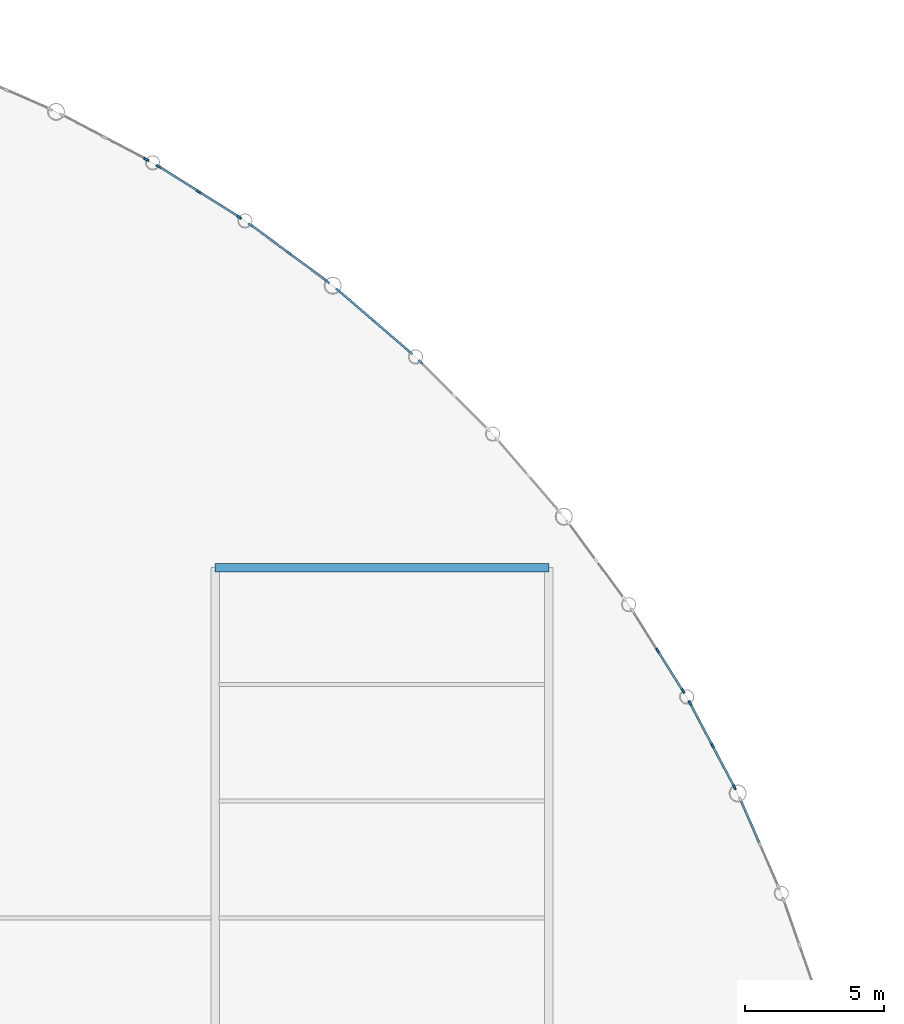
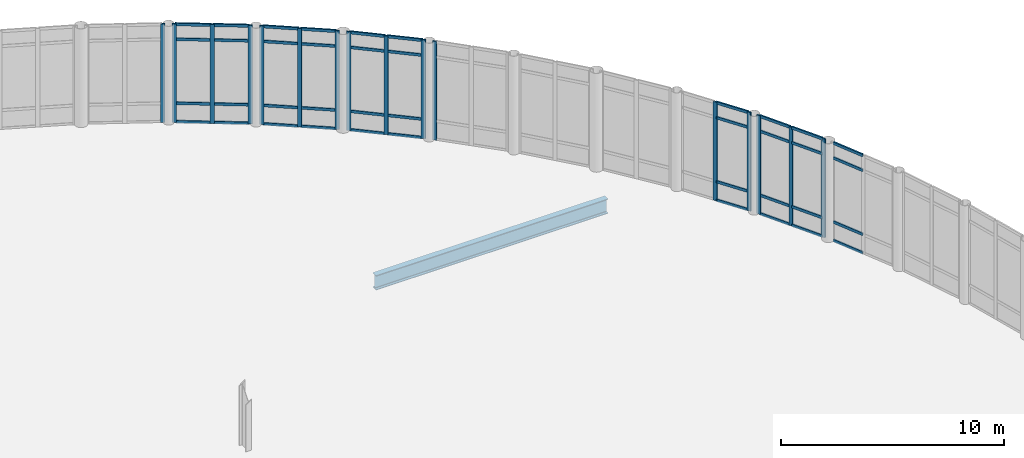
# One storey, part 73 of 111: 56 members, 1 beam, 8 elements without a shape of their own.
"""IFC4 building model written with IfcOpenShell, lengths in metres."""

from ifc_helpers import new_model, si_unit, direction, frame, origin, origin_2d, place, context, subcontext, project, spatial, rectangle, i_section, extrude, material, layer, layer_set, material_profile, profile_set, type_object, element, aggregate, save


model = new_model("IFC4")

# Units and contexts
model_context = context("Model", 3, precision=1e-05, world=origin(), true_north=direction((0.0, 1.0)))
body_context = subcontext(model_context, "Body", "Model", "MODEL_VIEW")
ifc_project = project(units=[si_unit("LENGTHUNIT", "METRE"), si_unit("AREAUNIT", "SQUARE_METRE"), si_unit("VOLUMEUNIT", "CUBIC_METRE"), si_unit("PLANEANGLEUNIT", "RADIAN"), si_unit("MASSUNIT", "GRAM", prefix="KILO"), si_unit("THERMODYNAMICTEMPERATUREUNIT", "KELVIN"), si_unit("POWERUNIT", "WATT")], contexts=[model_context])

# Site, building, storey
site_placement = place(None, origin())
site = spatial("IfcSite", under=ifc_project, at=site_placement, CompositionType="ELEMENT")
building_placement = place(site_placement, origin())
building = spatial("IfcBuilding", under=site, at=building_placement, Name="Tembeka Court Mobility Hub", CompositionType="ELEMENT")
storey_placement = place(building_placement, origin())
storey = spatial("IfcBuildingStorey", under=building, at=storey_placement, Name="L00", CompositionType="ELEMENT", Elevation=0.0)

# Beam
ifc_material_1 = material(Name="Steel S355", Category="steel")
ifc_material_profile_1 = material_profile(ifc_material_1, i_section(OverallWidth=0.300048828125, OverallDepth=0.800048828125, WebThickness=0.017578125, FlangeThickness=0.034912109375, FilletRadius=0.030029296875, at=origin_2d()), Name="HEB 800")
ifc_profile_set_1 = profile_set([ifc_material_profile_1], Name="Steel S355")
beam_type = type_object("IfcBeamType", Name="BM-G04", PredefinedType="USERDEFINED", material=ifc_profile_set_1)
beam_placement = place(storey_placement, frame((152.39990234375, 97.199951171875, -0.679931640625), z_axis=(1.0, 0.0, 0.0), x_axis=(0.0, 1.0, 0.0)))
element("IfcBeam", 1, at=beam_placement, inside=storey, type_object=beam_type, Name="Beam G04 (BM-L00-X0149)", ObjectType="GIRDER", PredefinedType="USERDEFINED", context=body_context, shape_type="SweptSolid", body=[
    extrude(i_section(OverallWidth=0.300048828125, OverallDepth=0.800048828125, WebThickness=0.017578125, FlangeThickness=0.034912109375, FilletRadius=0.030029296875, at=origin_2d()), origin(), (0.0, 0.0, 1.0), 12.0),
])

# Curtain wall, members
ifc_material_2 = material(Name="Anodised aluminium 6063-T6", Category="aluminium")
ifc_layer = layer(ifc_material_2, 0.199951171875)
ifc_layer_set = layer_set([ifc_layer], Name="Anodised aluminium 6063-T6")
curtain_wall_type = type_object("IfcCurtainWallType", Name="CW-SYS24", PredefinedType="USERDEFINED", material=ifc_layer_set)
curtain_wall_1_placement = place(storey_placement, origin())
curtain_wall_1 = element("IfcCurtainWall", 2, at=curtain_wall_1_placement, inside=storey, type_object=curtain_wall_type, Name="Unitised curtain wall CW24 (CW-L00-055)", ObjectType="UNITISED GLAZING", PredefinedType="USERDEFINED")
ifc_material_profile_2 = material_profile(ifc_material_2, rectangle(XDim=0.074951171875, YDim=0.199951171875, at=origin_2d()), Name="ALU-MUL 75x200")
ifc_profile_set_2 = profile_set([ifc_material_profile_2], Name="Anodised aluminium 6063-T6")
member_type_1 = type_object("IfcMemberType", Name="CW-MUL02", PredefinedType="MULLION", material=ifc_profile_set_2)
member_1_placement = place(storey_placement, frame((171.08056640625, 89.306640625, 0.0), z_axis=(0.0, 0.0, 1.0), x_axis=(-0.884107976202, -0.467282662225, 0.0)))
member_1 = element("IfcMember", 3, at=member_1_placement, type_object=member_type_1, Name="CW24 mullion 1", PredefinedType="MULLION", context=body_context, shape_type="SweptSolid", body=[
    extrude(rectangle(XDim=0.074951171875, YDim=0.199951171875, at=origin_2d()), origin(), (0.0, 0.0, 1.0), 5.39990234375),
])
member_2_placement = place(storey_placement, frame((170.28369140625, 90.814453125, 0.0), z_axis=(0.0, 0.0, 1.0), x_axis=(-0.884107976202, -0.467282662225, 0.0)))
member_2 = element("IfcMember", 4, at=member_2_placement, type_object=member_type_1, Name="CW24 mullion 2", PredefinedType="MULLION", context=body_context, shape_type="SweptSolid", body=[
    extrude(rectangle(XDim=0.074951171875, YDim=0.199951171875, at=origin_2d()), origin(), (0.0, 0.0, 1.0), 5.39990234375),
])
member_3_placement = place(storey_placement, frame((169.486572265625, 92.322265625, 0.0), z_axis=(0.0, 0.0, 1.0), x_axis=(-0.884107976202, -0.467282662225, 0.0)))
member_3 = element("IfcMember", 5, at=member_3_placement, type_object=member_type_1, Name="CW24 mullion 3", PredefinedType="MULLION", context=body_context, shape_type="SweptSolid", body=[
    extrude(rectangle(XDim=0.074951171875, YDim=0.199951171875, at=origin_2d()), origin(), (0.0, 0.0, 1.0), 5.39990234375),
])

curtain_wall_2_placement = place(storey_placement, origin())
curtain_wall_2 = element("IfcCurtainWall", 6, at=curtain_wall_2_placement, inside=storey, type_object=curtain_wall_type, Name="Unitised curtain wall CW24 (CW-L00-057)", ObjectType="UNITISED GLAZING", PredefinedType="USERDEFINED")
member_4_placement = place(storey_placement, frame((169.229248046875, 92.76806640625, 0.0), z_axis=(0.0, 0.0, 1.0), x_axis=(-0.846708179607, -0.532057570744, 0.0)))
member_4 = element("IfcMember", 7, at=member_4_placement, type_object=member_type_1, Name="CW24 mullion 1", PredefinedType="MULLION", context=body_context, shape_type="SweptSolid", body=[
    extrude(rectangle(XDim=0.074951171875, YDim=0.199951171875, at=origin_2d()), origin(), (0.0, 0.0, 1.0), 5.39990234375),
])
member_5_placement = place(storey_placement, frame((168.322021484375, 94.212158203125, 0.0), z_axis=(0.0, 0.0, 1.0), x_axis=(-0.846708179607, -0.532057570744, 0.0)))
member_5 = element("IfcMember", 8, at=member_5_placement, type_object=member_type_1, Name="CW24 mullion 2", PredefinedType="MULLION", context=body_context, shape_type="SweptSolid", body=[
    extrude(rectangle(XDim=0.074951171875, YDim=0.199951171875, at=origin_2d()), origin(), (0.0, 0.0, 1.0), 5.39990234375),
])

# Curtain wall, member
curtain_wall_3_placement = place(storey_placement, origin())
curtain_wall_3 = element("IfcCurtainWall", 9, at=curtain_wall_3_placement, inside=storey, type_object=curtain_wall_type, Name="Unitised curtain wall CW24 (CW-L00-063)", ObjectType="UNITISED GLAZING", PredefinedType="USERDEFINED")
member_6_placement = place(storey_placement, frame((159.791259765625, 104.60302734375, 0.0), z_axis=(0.0, 0.0, 1.0), x_axis=(-0.707106781187, -0.707106781187, 0.0)))
member_6 = element("IfcMember", 10, at=member_6_placement, type_object=member_type_1, Name="CW24 mullion 3", PredefinedType="MULLION", context=body_context, shape_type="SweptSolid", body=[
    extrude(rectangle(XDim=0.074951171875, YDim=0.199951171875, at=origin_2d()), origin(), (0.0, 0.0, 1.0), 5.39990234375),
])
aggregate(curtain_wall_3, [member_6])

# Curtain wall, members
curtain_wall_4_placement = place(storey_placement, origin())
curtain_wall_4 = element("IfcCurtainWall", 11, at=curtain_wall_4_placement, inside=storey, type_object=curtain_wall_type, Name="Unitised curtain wall CW24 (CW-L00-065)", ObjectType="UNITISED GLAZING", PredefinedType="USERDEFINED")
member_7_placement = place(storey_placement, frame((159.413818359375, 104.953125, 0.0), z_axis=(0.0, 0.0, 1.0), x_axis=(-0.652306690707, -0.757955131428, 0.0)))
member_7 = element("IfcMember", 12, at=member_7_placement, type_object=member_type_1, Name="CW24 mullion 1", PredefinedType="MULLION", context=body_context, shape_type="SweptSolid", body=[
    extrude(rectangle(XDim=0.074951171875, YDim=0.199951171875, at=origin_2d()), origin(), (0.0, 0.0, 1.0), 5.39990234375),
])
member_8_placement = place(storey_placement, frame((158.12109375, 106.065673828125, 0.0), z_axis=(0.0, 0.0, 1.0), x_axis=(-0.652306690707, -0.757955131428, 0.0)))
member_8 = element("IfcMember", 13, at=member_8_placement, type_object=member_type_1, Name="CW24 mullion 2", PredefinedType="MULLION", context=body_context, shape_type="SweptSolid", body=[
    extrude(rectangle(XDim=0.074951171875, YDim=0.199951171875, at=origin_2d()), origin(), (0.0, 0.0, 1.0), 5.39990234375),
])
member_9_placement = place(storey_placement, frame((156.828369140625, 107.17822265625, 0.0), z_axis=(0.0, 0.0, 1.0), x_axis=(-0.652306690707, -0.757955131428, 0.0)))
member_9 = element("IfcMember", 14, at=member_9_placement, type_object=member_type_1, Name="CW24 mullion 3", PredefinedType="MULLION", context=body_context, shape_type="SweptSolid", body=[
    extrude(rectangle(XDim=0.074951171875, YDim=0.199951171875, at=origin_2d()), origin(), (0.0, 0.0, 1.0), 5.39990234375),
])

curtain_wall_5_placement = place(storey_placement, origin())
curtain_wall_5 = element("IfcCurtainWall", 15, at=curtain_wall_5_placement, inside=storey, type_object=curtain_wall_type, Name="Unitised curtain wall CW24 (CW-L00-067)", ObjectType="UNITISED GLAZING", PredefinedType="USERDEFINED")
member_10_placement = place(storey_placement, frame((156.426025390625, 107.4990234375, 0.0), z_axis=(0.0, 0.0, 1.0), x_axis=(-0.593818252688, -0.804599206298, 0.0)))
member_10 = element("IfcMember", 16, at=member_10_placement, type_object=member_type_1, Name="CW24 mullion 1", PredefinedType="MULLION", context=body_context, shape_type="SweptSolid", body=[
    extrude(rectangle(XDim=0.074951171875, YDim=0.199951171875, at=origin_2d()), origin(), (0.0, 0.0, 1.0), 5.39990234375),
])
member_11_placement = place(storey_placement, frame((155.0537109375, 108.511962890625, 0.0), z_axis=(0.0, 0.0, 1.0), x_axis=(-0.593818252688, -0.804599206298, 0.0)))
member_11 = element("IfcMember", 17, at=member_11_placement, type_object=member_type_1, Name="CW24 mullion 2", PredefinedType="MULLION", context=body_context, shape_type="SweptSolid", body=[
    extrude(rectangle(XDim=0.074951171875, YDim=0.199951171875, at=origin_2d()), origin(), (0.0, 0.0, 1.0), 5.39990234375),
])
member_12_placement = place(storey_placement, frame((153.681396484375, 109.524658203125, 0.0), z_axis=(0.0, 0.0, 1.0), x_axis=(-0.593818252688, -0.804599206298, 0.0)))
member_12 = element("IfcMember", 18, at=member_12_placement, type_object=member_type_1, Name="CW24 mullion 3", PredefinedType="MULLION", context=body_context, shape_type="SweptSolid", body=[
    extrude(rectangle(XDim=0.074951171875, YDim=0.199951171875, at=origin_2d()), origin(), (0.0, 0.0, 1.0), 5.39990234375),
])

curtain_wall_6_placement = place(storey_placement, origin())
curtain_wall_6 = element("IfcCurtainWall", 19, at=curtain_wall_6_placement, inside=storey, type_object=curtain_wall_type, Name="Unitised curtain wall CW24 (CW-L00-069)", ObjectType="UNITISED GLAZING", PredefinedType="USERDEFINED")
member_13_placement = place(storey_placement, frame((153.25634765625, 109.814453125, 0.0), z_axis=(0.0, 0.0, 1.0), x_axis=(-0.532057570744, -0.846708179607, 0.0)))
member_13 = element("IfcMember", 20, at=member_13_placement, type_object=member_type_1, Name="CW24 mullion 1", PredefinedType="MULLION", context=body_context, shape_type="SweptSolid", body=[
    extrude(rectangle(XDim=0.074951171875, YDim=0.199951171875, at=origin_2d()), origin(), (0.0, 0.0, 1.0), 5.39990234375),
])
member_14_placement = place(storey_placement, frame((151.812255859375, 110.721923828125, 0.0), z_axis=(0.0, 0.0, 1.0), x_axis=(-0.532057570744, -0.846708179607, 0.0)))
member_14 = element("IfcMember", 21, at=member_14_placement, type_object=member_type_1, Name="CW24 mullion 2", PredefinedType="MULLION", context=body_context, shape_type="SweptSolid", body=[
    extrude(rectangle(XDim=0.074951171875, YDim=0.199951171875, at=origin_2d()), origin(), (0.0, 0.0, 1.0), 5.39990234375),
])
member_15_placement = place(storey_placement, frame((150.3681640625, 111.62939453125, 0.0), z_axis=(0.0, 0.0, 1.0), x_axis=(-0.532057570744, -0.846708179607, 0.0)))
member_15 = element("IfcMember", 22, at=member_15_placement, type_object=member_type_1, Name="CW24 mullion 3", PredefinedType="MULLION", context=body_context, shape_type="SweptSolid", body=[
    extrude(rectangle(XDim=0.074951171875, YDim=0.199951171875, at=origin_2d()), origin(), (0.0, 0.0, 1.0), 5.39990234375),
])

# Curtain wall, member
curtain_wall_7_placement = place(storey_placement, origin())
curtain_wall_7 = element("IfcCurtainWall", 23, at=curtain_wall_7_placement, inside=storey, type_object=curtain_wall_type, Name="Unitised curtain wall CW24 (CW-L00-071)", ObjectType="UNITISED GLAZING", PredefinedType="USERDEFINED")
member_16_placement = place(storey_placement, frame((149.92236328125, 111.88671875, 0.0), z_axis=(0.0, 0.0, 1.0), x_axis=(-0.467282662225, -0.884107976202, 0.0)))
member_16 = element("IfcMember", 24, at=member_16_placement, type_object=member_type_1, Name="CW24 mullion 1", PredefinedType="MULLION", context=body_context, shape_type="SweptSolid", body=[
    extrude(rectangle(XDim=0.074951171875, YDim=0.199951171875, at=origin_2d()), origin(), (0.0, 0.0, 1.0), 5.39990234375),
])
aggregate(curtain_wall_7, [member_16])

# Curtain wall, members
curtain_wall_8_placement = place(storey_placement, origin())
curtain_wall_8 = element("IfcCurtainWall", 25, at=curtain_wall_8_placement, inside=storey, type_object=curtain_wall_type, Name="Unitised curtain wall CW24 (CW-L00-053)", ObjectType="UNITISED GLAZING", PredefinedType="USERDEFINED")
ifc_material_profile_3 = material_profile(ifc_material_2, rectangle(XDim=0.074951171875, YDim=0.14990234375, at=origin_2d()), Name="ALU-TRN 75x150")
ifc_profile_set_3 = profile_set([ifc_material_profile_3], Name="Anodised aluminium 6063-T6")
member_type_2 = type_object("IfcMemberType", Name="CW-TRN02", PredefinedType="USERDEFINED", material=ifc_profile_set_3)
member_17_placement = place(storey_placement, frame((171.970947265625, 87.31396484375, 0.03759765625), z_axis=(-0.399891861372, 0.916562326963, 0.0), x_axis=(-0.916562326963, -0.399891861372, 0.0)))
member_17 = element("IfcMember", 26, at=member_17_placement, type_object=member_type_2, Name="CW24 transom 2.1", ObjectType="TRANSOM", PredefinedType="USERDEFINED", context=body_context, shape_type="SweptSolid", body=[
    extrude(rectangle(XDim=0.074951171875, YDim=0.14990234375, at=origin_2d()), origin(), (0.0, 0.0, 1.0), 1.630615234375),
])
member_18_placement = place(storey_placement, frame((171.970947265625, 87.31396484375, 1.050048828125), z_axis=(-0.399891861372, 0.916562326963, 0.0), x_axis=(-0.916562326963, -0.399891861372, 0.0)))
member_18 = element("IfcMember", 27, at=member_18_placement, type_object=member_type_2, Name="CW24 transom 2.2", ObjectType="TRANSOM", PredefinedType="USERDEFINED", context=body_context, shape_type="SweptSolid", body=[
    extrude(rectangle(XDim=0.074951171875, YDim=0.14990234375, at=origin_2d()), origin(), (0.0, 0.0, 1.0), 1.630615234375),
])
member_19_placement = place(storey_placement, frame((171.970947265625, 87.31396484375, 4.550048828125), z_axis=(-0.399891861372, 0.916562326963, 0.0), x_axis=(-0.916562326963, -0.399891861372, 0.0)))
member_19 = element("IfcMember", 28, at=member_19_placement, type_object=member_type_2, Name="CW24 transom 2.3", ObjectType="TRANSOM", PredefinedType="USERDEFINED", context=body_context, shape_type="SweptSolid", body=[
    extrude(rectangle(XDim=0.074951171875, YDim=0.14990234375, at=origin_2d()), origin(), (0.0, 0.0, 1.0), 1.630615234375),
])
member_20_placement = place(storey_placement, frame((171.970947265625, 87.31396484375, 5.362548828125), z_axis=(-0.399891861372, 0.916562326963, 0.0), x_axis=(-0.916562326963, -0.399891861372, 0.0)))
member_20 = element("IfcMember", 29, at=member_20_placement, type_object=member_type_2, Name="CW24 transom 2.4", ObjectType="TRANSOM", PredefinedType="USERDEFINED", context=body_context, shape_type="SweptSolid", body=[
    extrude(rectangle(XDim=0.074951171875, YDim=0.14990234375, at=origin_2d()), origin(), (0.0, 0.0, 1.0), 1.630615234375),
])
aggregate(curtain_wall_8, [member_17, member_18, member_19, member_20])

# Member
member_21_placement = place(storey_placement, frame((171.06298828125, 89.339599609375, 0.03759765625), z_axis=(-0.467282248341, 0.884108194954, 0.0), x_axis=(-0.884108194954, -0.467282248341, 0.0)))
member_21 = element("IfcMember", 30, at=member_21_placement, type_object=member_type_2, Name="CW24 transom 1.1", ObjectType="TRANSOM", PredefinedType="USERDEFINED", context=body_context, shape_type="SweptSolid", body=[
    extrude(rectangle(XDim=0.074951171875, YDim=0.14990234375, at=origin_2d()), origin(), (0.0, 0.0, 1.0), 1.630615234375),
])

member_22_placement = place(storey_placement, frame((171.06298828125, 89.339599609375, 1.050048828125), z_axis=(-0.467282248341, 0.884108194954, 0.0), x_axis=(-0.884108194954, -0.467282248341, 0.0)))
member_22 = element("IfcMember", 31, at=member_22_placement, type_object=member_type_2, Name="CW24 transom 1.2", ObjectType="TRANSOM", PredefinedType="USERDEFINED", context=body_context, shape_type="SweptSolid", body=[
    extrude(rectangle(XDim=0.074951171875, YDim=0.14990234375, at=origin_2d()), origin(), (0.0, 0.0, 1.0), 1.630615234375),
])

member_23_placement = place(storey_placement, frame((171.06298828125, 89.339599609375, 4.550048828125), z_axis=(-0.467282248341, 0.884108194954, 0.0), x_axis=(-0.884108194954, -0.467282248341, 0.0)))
member_23 = element("IfcMember", 32, at=member_23_placement, type_object=member_type_2, Name="CW24 transom 1.3", ObjectType="TRANSOM", PredefinedType="USERDEFINED", context=body_context, shape_type="SweptSolid", body=[
    extrude(rectangle(XDim=0.074951171875, YDim=0.14990234375, at=origin_2d()), origin(), (0.0, 0.0, 1.0), 1.630615234375),
])

member_24_placement = place(storey_placement, frame((171.06298828125, 89.339599609375, 5.362548828125), z_axis=(-0.467282248341, 0.884108194954, 0.0), x_axis=(-0.884108194954, -0.467282248341, 0.0)))
member_24 = element("IfcMember", 33, at=member_24_placement, type_object=member_type_2, Name="CW24 transom 1.4", ObjectType="TRANSOM", PredefinedType="USERDEFINED", context=body_context, shape_type="SweptSolid", body=[
    extrude(rectangle(XDim=0.074951171875, YDim=0.14990234375, at=origin_2d()), origin(), (0.0, 0.0, 1.0), 1.630615234375),
])

member_25_placement = place(storey_placement, frame((170.26611328125, 90.84765625, 0.03759765625), z_axis=(-0.467282248341, 0.884108194954, 0.0), x_axis=(-0.884108194954, -0.467282248341, 0.0)))
member_25 = element("IfcMember", 34, at=member_25_placement, type_object=member_type_2, Name="CW24 transom 2.1", ObjectType="TRANSOM", PredefinedType="USERDEFINED", context=body_context, shape_type="SweptSolid", body=[
    extrude(rectangle(XDim=0.074951171875, YDim=0.14990234375, at=origin_2d()), origin(), (0.0, 0.0, 1.0), 1.630615234375),
])

member_26_placement = place(storey_placement, frame((170.26611328125, 90.84765625, 1.050048828125), z_axis=(-0.467282248341, 0.884108194954, 0.0), x_axis=(-0.884108194954, -0.467282248341, 0.0)))
member_26 = element("IfcMember", 35, at=member_26_placement, type_object=member_type_2, Name="CW24 transom 2.2", ObjectType="TRANSOM", PredefinedType="USERDEFINED", context=body_context, shape_type="SweptSolid", body=[
    extrude(rectangle(XDim=0.074951171875, YDim=0.14990234375, at=origin_2d()), origin(), (0.0, 0.0, 1.0), 1.630615234375),
])

member_27_placement = place(storey_placement, frame((170.26611328125, 90.84765625, 4.550048828125), z_axis=(-0.467282248341, 0.884108194954, 0.0), x_axis=(-0.884108194954, -0.467282248341, 0.0)))
member_27 = element("IfcMember", 36, at=member_27_placement, type_object=member_type_2, Name="CW24 transom 2.3", ObjectType="TRANSOM", PredefinedType="USERDEFINED", context=body_context, shape_type="SweptSolid", body=[
    extrude(rectangle(XDim=0.074951171875, YDim=0.14990234375, at=origin_2d()), origin(), (0.0, 0.0, 1.0), 1.630615234375),
])

member_28_placement = place(storey_placement, frame((170.26611328125, 90.84765625, 5.362548828125), z_axis=(-0.467282248341, 0.884108194954, 0.0), x_axis=(-0.884108194954, -0.467282248341, 0.0)))
member_28 = element("IfcMember", 37, at=member_28_placement, type_object=member_type_2, Name="CW24 transom 2.4", ObjectType="TRANSOM", PredefinedType="USERDEFINED", context=body_context, shape_type="SweptSolid", body=[
    extrude(rectangle(XDim=0.074951171875, YDim=0.14990234375, at=origin_2d()), origin(), (0.0, 0.0, 1.0), 1.630615234375),
])

aggregate(curtain_wall_1, [member_1, member_2, member_3, member_21, member_22, member_23, member_24, member_25, member_26, member_27, member_28])

member_29_placement = place(storey_placement, frame((169.20947265625, 92.7998046875, 0.03759765625), z_axis=(-0.532110218456, 0.846675094363, 0.0), x_axis=(-0.846675094363, -0.532110218456, 0.0)))
member_29 = element("IfcMember", 38, at=member_29_placement, type_object=member_type_2, Name="CW24 transom 1.1", ObjectType="TRANSOM", PredefinedType="USERDEFINED", context=body_context, shape_type="SweptSolid", body=[
    extrude(rectangle(XDim=0.074951171875, YDim=0.14990234375, at=origin_2d()), origin(), (0.0, 0.0, 1.0), 1.630615234375),
])

member_30_placement = place(storey_placement, frame((169.20947265625, 92.7998046875, 1.050048828125), z_axis=(-0.532110218456, 0.846675094363, 0.0), x_axis=(-0.846675094363, -0.532110218456, 0.0)))
member_30 = element("IfcMember", 39, at=member_30_placement, type_object=member_type_2, Name="CW24 transom 1.2", ObjectType="TRANSOM", PredefinedType="USERDEFINED", context=body_context, shape_type="SweptSolid", body=[
    extrude(rectangle(XDim=0.074951171875, YDim=0.14990234375, at=origin_2d()), origin(), (0.0, 0.0, 1.0), 1.630615234375),
])

member_31_placement = place(storey_placement, frame((169.20947265625, 92.7998046875, 4.550048828125), z_axis=(-0.532110218456, 0.846675094363, 0.0), x_axis=(-0.846675094363, -0.532110218456, 0.0)))
member_31 = element("IfcMember", 40, at=member_31_placement, type_object=member_type_2, Name="CW24 transom 1.3", ObjectType="TRANSOM", PredefinedType="USERDEFINED", context=body_context, shape_type="SweptSolid", body=[
    extrude(rectangle(XDim=0.074951171875, YDim=0.14990234375, at=origin_2d()), origin(), (0.0, 0.0, 1.0), 1.630615234375),
])

member_32_placement = place(storey_placement, frame((169.20947265625, 92.7998046875, 5.362548828125), z_axis=(-0.532110218456, 0.846675094363, 0.0), x_axis=(-0.846675094363, -0.532110218456, 0.0)))
member_32 = element("IfcMember", 41, at=member_32_placement, type_object=member_type_2, Name="CW24 transom 1.4", ObjectType="TRANSOM", PredefinedType="USERDEFINED", context=body_context, shape_type="SweptSolid", body=[
    extrude(rectangle(XDim=0.074951171875, YDim=0.14990234375, at=origin_2d()), origin(), (0.0, 0.0, 1.0), 1.630615234375),
])

aggregate(curtain_wall_2, [member_4, member_5, member_29, member_30, member_31, member_32])

member_33_placement = place(storey_placement, frame((159.385498046875, 104.9775390625, 0.03759765625), z_axis=(-0.757912738412, 0.652355946515, 0.0), x_axis=(-0.652355946515, -0.757912738412, 0.0)))
member_33 = element("IfcMember", 42, at=member_33_placement, type_object=member_type_2, Name="CW24 transom 1.1", ObjectType="TRANSOM", PredefinedType="USERDEFINED", context=body_context, shape_type="SweptSolid", body=[
    extrude(rectangle(XDim=0.074951171875, YDim=0.14990234375, at=origin_2d()), origin(), (0.0, 0.0, 1.0), 1.630615234375),
])

member_34_placement = place(storey_placement, frame((159.385498046875, 104.9775390625, 1.050048828125), z_axis=(-0.757912738412, 0.652355946515, 0.0), x_axis=(-0.652355946515, -0.757912738412, 0.0)))
member_34 = element("IfcMember", 43, at=member_34_placement, type_object=member_type_2, Name="CW24 transom 1.2", ObjectType="TRANSOM", PredefinedType="USERDEFINED", context=body_context, shape_type="SweptSolid", body=[
    extrude(rectangle(XDim=0.074951171875, YDim=0.14990234375, at=origin_2d()), origin(), (0.0, 0.0, 1.0), 1.630615234375),
])

member_35_placement = place(storey_placement, frame((159.385498046875, 104.9775390625, 4.550048828125), z_axis=(-0.757912738412, 0.652355946515, 0.0), x_axis=(-0.652355946515, -0.757912738412, 0.0)))
member_35 = element("IfcMember", 44, at=member_35_placement, type_object=member_type_2, Name="CW24 transom 1.3", ObjectType="TRANSOM", PredefinedType="USERDEFINED", context=body_context, shape_type="SweptSolid", body=[
    extrude(rectangle(XDim=0.074951171875, YDim=0.14990234375, at=origin_2d()), origin(), (0.0, 0.0, 1.0), 1.630615234375),
])

member_36_placement = place(storey_placement, frame((159.385498046875, 104.9775390625, 5.362548828125), z_axis=(-0.757912738412, 0.652355946515, 0.0), x_axis=(-0.652355946515, -0.757912738412, 0.0)))
member_36 = element("IfcMember", 45, at=member_36_placement, type_object=member_type_2, Name="CW24 transom 1.4", ObjectType="TRANSOM", PredefinedType="USERDEFINED", context=body_context, shape_type="SweptSolid", body=[
    extrude(rectangle(XDim=0.074951171875, YDim=0.14990234375, at=origin_2d()), origin(), (0.0, 0.0, 1.0), 1.630615234375),
])

member_37_placement = place(storey_placement, frame((158.0927734375, 106.090087890625, 0.03759765625), z_axis=(-0.757912738412, 0.652355946515, 0.0), x_axis=(-0.652355946515, -0.757912738412, 0.0)))
member_37 = element("IfcMember", 46, at=member_37_placement, type_object=member_type_2, Name="CW24 transom 2.1", ObjectType="TRANSOM", PredefinedType="USERDEFINED", context=body_context, shape_type="SweptSolid", body=[
    extrude(rectangle(XDim=0.074951171875, YDim=0.14990234375, at=origin_2d()), origin(), (0.0, 0.0, 1.0), 1.630615234375),
])

member_38_placement = place(storey_placement, frame((158.0927734375, 106.090087890625, 1.050048828125), z_axis=(-0.757912738412, 0.652355946515, 0.0), x_axis=(-0.652355946515, -0.757912738412, 0.0)))
member_38 = element("IfcMember", 47, at=member_38_placement, type_object=member_type_2, Name="CW24 transom 2.2", ObjectType="TRANSOM", PredefinedType="USERDEFINED", context=body_context, shape_type="SweptSolid", body=[
    extrude(rectangle(XDim=0.074951171875, YDim=0.14990234375, at=origin_2d()), origin(), (0.0, 0.0, 1.0), 1.630615234375),
])

member_39_placement = place(storey_placement, frame((158.0927734375, 106.090087890625, 4.550048828125), z_axis=(-0.757912738412, 0.652355946515, 0.0), x_axis=(-0.652355946515, -0.757912738412, 0.0)))
member_39 = element("IfcMember", 48, at=member_39_placement, type_object=member_type_2, Name="CW24 transom 2.3", ObjectType="TRANSOM", PredefinedType="USERDEFINED", context=body_context, shape_type="SweptSolid", body=[
    extrude(rectangle(XDim=0.074951171875, YDim=0.14990234375, at=origin_2d()), origin(), (0.0, 0.0, 1.0), 1.630615234375),
])

member_40_placement = place(storey_placement, frame((158.0927734375, 106.090087890625, 5.362548828125), z_axis=(-0.757912738412, 0.652355946515, 0.0), x_axis=(-0.652355946515, -0.757912738412, 0.0)))
member_40 = element("IfcMember", 49, at=member_40_placement, type_object=member_type_2, Name="CW24 transom 2.4", ObjectType="TRANSOM", PredefinedType="USERDEFINED", context=body_context, shape_type="SweptSolid", body=[
    extrude(rectangle(XDim=0.074951171875, YDim=0.14990234375, at=origin_2d()), origin(), (0.0, 0.0, 1.0), 1.630615234375),
])

aggregate(curtain_wall_4, [member_7, member_8, member_9, member_33, member_34, member_35, member_36, member_37, member_38, member_39, member_40])

member_41_placement = place(storey_placement, frame((156.395751953125, 107.521240234375, 0.03759765625), z_axis=(-0.804558748031, 0.59387306806, 0.0), x_axis=(-0.59387306806, -0.804558748031, 0.0)))
member_41 = element("IfcMember", 50, at=member_41_placement, type_object=member_type_2, Name="CW24 transom 1.1", ObjectType="TRANSOM", PredefinedType="USERDEFINED", context=body_context, shape_type="SweptSolid", body=[
    extrude(rectangle(XDim=0.074951171875, YDim=0.14990234375, at=origin_2d()), origin(), (0.0, 0.0, 1.0), 1.63037109375),
])

member_42_placement = place(storey_placement, frame((156.395751953125, 107.521240234375, 1.050048828125), z_axis=(-0.804558748031, 0.59387306806, 0.0), x_axis=(-0.59387306806, -0.804558748031, 0.0)))
member_42 = element("IfcMember", 51, at=member_42_placement, type_object=member_type_2, Name="CW24 transom 1.2", ObjectType="TRANSOM", PredefinedType="USERDEFINED", context=body_context, shape_type="SweptSolid", body=[
    extrude(rectangle(XDim=0.074951171875, YDim=0.14990234375, at=origin_2d()), origin(), (0.0, 0.0, 1.0), 1.63037109375),
])

member_43_placement = place(storey_placement, frame((156.395751953125, 107.521240234375, 4.550048828125), z_axis=(-0.804558748031, 0.59387306806, 0.0), x_axis=(-0.59387306806, -0.804558748031, 0.0)))
member_43 = element("IfcMember", 52, at=member_43_placement, type_object=member_type_2, Name="CW24 transom 1.3", ObjectType="TRANSOM", PredefinedType="USERDEFINED", context=body_context, shape_type="SweptSolid", body=[
    extrude(rectangle(XDim=0.074951171875, YDim=0.14990234375, at=origin_2d()), origin(), (0.0, 0.0, 1.0), 1.63037109375),
])

member_44_placement = place(storey_placement, frame((156.395751953125, 107.521240234375, 5.362548828125), z_axis=(-0.804558748031, 0.59387306806, 0.0), x_axis=(-0.59387306806, -0.804558748031, 0.0)))
member_44 = element("IfcMember", 53, at=member_44_placement, type_object=member_type_2, Name="CW24 transom 1.4", ObjectType="TRANSOM", PredefinedType="USERDEFINED", context=body_context, shape_type="SweptSolid", body=[
    extrude(rectangle(XDim=0.074951171875, YDim=0.14990234375, at=origin_2d()), origin(), (0.0, 0.0, 1.0), 1.63037109375),
])

member_45_placement = place(storey_placement, frame((155.023681640625, 108.5341796875, 0.03759765625), z_axis=(-0.804611549949, 0.593801527186, 0.0), x_axis=(-0.593801527186, -0.804611549949, 0.0)))
member_45 = element("IfcMember", 54, at=member_45_placement, type_object=member_type_2, Name="CW24 transom 2.1", ObjectType="TRANSOM", PredefinedType="USERDEFINED", context=body_context, shape_type="SweptSolid", body=[
    extrude(rectangle(XDim=0.074951171875, YDim=0.14990234375, at=origin_2d()), origin(), (0.0, 0.0, 1.0), 1.630615234375),
])

member_46_placement = place(storey_placement, frame((155.023681640625, 108.5341796875, 1.050048828125), z_axis=(-0.804611549949, 0.593801527186, 0.0), x_axis=(-0.593801527186, -0.804611549949, 0.0)))
member_46 = element("IfcMember", 55, at=member_46_placement, type_object=member_type_2, Name="CW24 transom 2.2", ObjectType="TRANSOM", PredefinedType="USERDEFINED", context=body_context, shape_type="SweptSolid", body=[
    extrude(rectangle(XDim=0.074951171875, YDim=0.14990234375, at=origin_2d()), origin(), (0.0, 0.0, 1.0), 1.630615234375),
])

member_47_placement = place(storey_placement, frame((155.023681640625, 108.5341796875, 4.550048828125), z_axis=(-0.804611549949, 0.593801527186, 0.0), x_axis=(-0.593801527186, -0.804611549949, 0.0)))
member_47 = element("IfcMember", 56, at=member_47_placement, type_object=member_type_2, Name="CW24 transom 2.3", ObjectType="TRANSOM", PredefinedType="USERDEFINED", context=body_context, shape_type="SweptSolid", body=[
    extrude(rectangle(XDim=0.074951171875, YDim=0.14990234375, at=origin_2d()), origin(), (0.0, 0.0, 1.0), 1.630615234375),
])

member_48_placement = place(storey_placement, frame((155.023681640625, 108.5341796875, 5.362548828125), z_axis=(-0.804611549949, 0.593801527186, 0.0), x_axis=(-0.593801527186, -0.804611549949, 0.0)))
member_48 = element("IfcMember", 57, at=member_48_placement, type_object=member_type_2, Name="CW24 transom 2.4", ObjectType="TRANSOM", PredefinedType="USERDEFINED", context=body_context, shape_type="SweptSolid", body=[
    extrude(rectangle(XDim=0.074951171875, YDim=0.14990234375, at=origin_2d()), origin(), (0.0, 0.0, 1.0), 1.630615234375),
])

aggregate(curtain_wall_5, [member_10, member_11, member_12, member_41, member_42, member_43, member_44, member_45, member_46, member_47, member_48])

member_49_placement = place(storey_placement, frame((153.224609375, 109.83447265625, 0.03759765625), z_axis=(-0.846742546133, 0.532002876465, 0.0), x_axis=(-0.532002876465, -0.846742546133, 0.0)))
member_49 = element("IfcMember", 58, at=member_49_placement, type_object=member_type_2, Name="CW24 transom 1.1", ObjectType="TRANSOM", PredefinedType="USERDEFINED", context=body_context, shape_type="SweptSolid", body=[
    extrude(rectangle(XDim=0.074951171875, YDim=0.14990234375, at=origin_2d()), origin(), (0.0, 0.0, 1.0), 1.630615234375),
])

member_50_placement = place(storey_placement, frame((153.224609375, 109.83447265625, 1.050048828125), z_axis=(-0.846742546133, 0.532002876465, 0.0), x_axis=(-0.532002876465, -0.846742546133, 0.0)))
member_50 = element("IfcMember", 59, at=member_50_placement, type_object=member_type_2, Name="CW24 transom 1.2", ObjectType="TRANSOM", PredefinedType="USERDEFINED", context=body_context, shape_type="SweptSolid", body=[
    extrude(rectangle(XDim=0.074951171875, YDim=0.14990234375, at=origin_2d()), origin(), (0.0, 0.0, 1.0), 1.630615234375),
])

member_51_placement = place(storey_placement, frame((153.224609375, 109.83447265625, 4.550048828125), z_axis=(-0.846742546133, 0.532002876465, 0.0), x_axis=(-0.532002876465, -0.846742546133, 0.0)))
member_51 = element("IfcMember", 60, at=member_51_placement, type_object=member_type_2, Name="CW24 transom 1.3", ObjectType="TRANSOM", PredefinedType="USERDEFINED", context=body_context, shape_type="SweptSolid", body=[
    extrude(rectangle(XDim=0.074951171875, YDim=0.14990234375, at=origin_2d()), origin(), (0.0, 0.0, 1.0), 1.630615234375),
])

member_52_placement = place(storey_placement, frame((153.224609375, 109.83447265625, 5.362548828125), z_axis=(-0.846742546133, 0.532002876465, 0.0), x_axis=(-0.532002876465, -0.846742546133, 0.0)))
member_52 = element("IfcMember", 61, at=member_52_placement, type_object=member_type_2, Name="CW24 transom 1.4", ObjectType="TRANSOM", PredefinedType="USERDEFINED", context=body_context, shape_type="SweptSolid", body=[
    extrude(rectangle(XDim=0.074951171875, YDim=0.14990234375, at=origin_2d()), origin(), (0.0, 0.0, 1.0), 1.630615234375),
])

member_53_placement = place(storey_placement, frame((151.780517578125, 110.741943359375, 0.03759765625), z_axis=(-0.846742546133, 0.532002876465, 0.0), x_axis=(-0.532002876465, -0.846742546133, 0.0)))
member_53 = element("IfcMember", 62, at=member_53_placement, type_object=member_type_2, Name="CW24 transom 2.1", ObjectType="TRANSOM", PredefinedType="USERDEFINED", context=body_context, shape_type="SweptSolid", body=[
    extrude(rectangle(XDim=0.074951171875, YDim=0.14990234375, at=origin_2d()), origin(), (0.0, 0.0, 1.0), 1.630615234375),
])

member_54_placement = place(storey_placement, frame((151.780517578125, 110.741943359375, 1.050048828125), z_axis=(-0.846742546133, 0.532002876465, 0.0), x_axis=(-0.532002876465, -0.846742546133, 0.0)))
member_54 = element("IfcMember", 63, at=member_54_placement, type_object=member_type_2, Name="CW24 transom 2.2", ObjectType="TRANSOM", PredefinedType="USERDEFINED", context=body_context, shape_type="SweptSolid", body=[
    extrude(rectangle(XDim=0.074951171875, YDim=0.14990234375, at=origin_2d()), origin(), (0.0, 0.0, 1.0), 1.630615234375),
])

member_55_placement = place(storey_placement, frame((151.780517578125, 110.741943359375, 4.550048828125), z_axis=(-0.846742546133, 0.532002876465, 0.0), x_axis=(-0.532002876465, -0.846742546133, 0.0)))
member_55 = element("IfcMember", 64, at=member_55_placement, type_object=member_type_2, Name="CW24 transom 2.3", ObjectType="TRANSOM", PredefinedType="USERDEFINED", context=body_context, shape_type="SweptSolid", body=[
    extrude(rectangle(XDim=0.074951171875, YDim=0.14990234375, at=origin_2d()), origin(), (0.0, 0.0, 1.0), 1.630615234375),
])

member_56_placement = place(storey_placement, frame((151.780517578125, 110.741943359375, 5.362548828125), z_axis=(-0.846742546133, 0.532002876465, 0.0), x_axis=(-0.532002876465, -0.846742546133, 0.0)))
member_56 = element("IfcMember", 65, at=member_56_placement, type_object=member_type_2, Name="CW24 transom 2.4", ObjectType="TRANSOM", PredefinedType="USERDEFINED", context=body_context, shape_type="SweptSolid", body=[
    extrude(rectangle(XDim=0.074951171875, YDim=0.14990234375, at=origin_2d()), origin(), (0.0, 0.0, 1.0), 1.630615234375),
])

aggregate(curtain_wall_6, [member_13, member_14, member_15, member_49, member_50, member_51, member_52, member_53, member_54, member_55, member_56])

save(model, "model.ifc")
